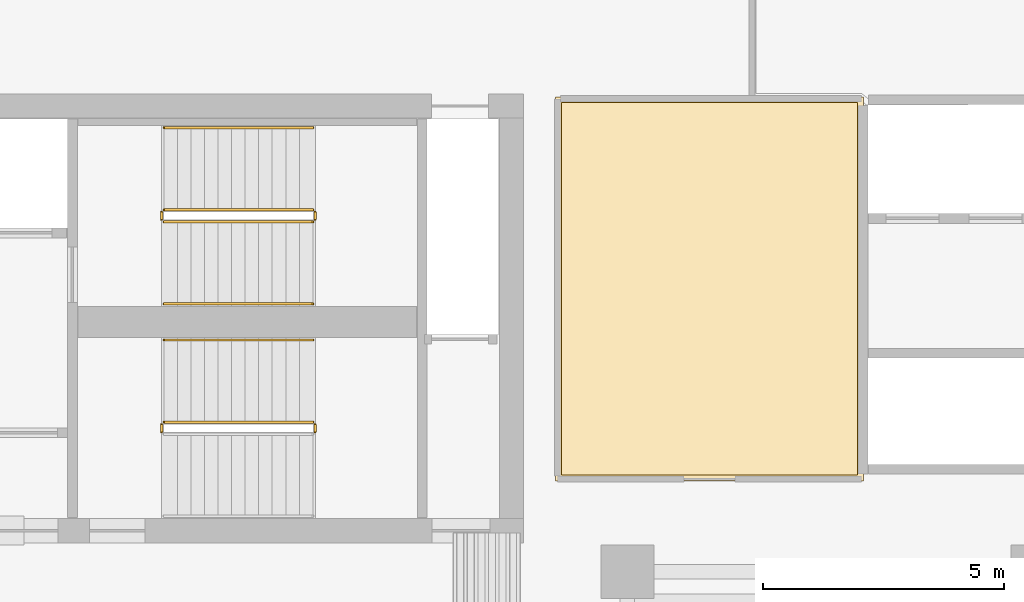
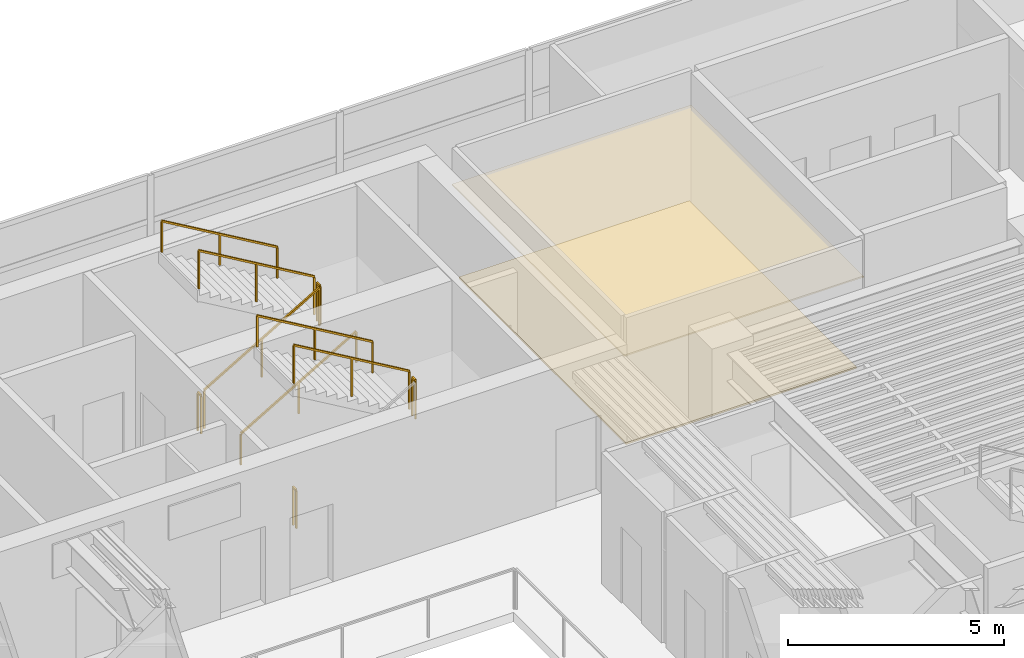
# One storey, part 12 of 12: 10 railings, 2 coverings.
"""IFC4 building model written with IfcOpenShell, lengths in metres."""

from ifc_helpers import new_model, si_unit, direction, frame, origin, origin_2d, place, context, subcontext, project, spatial, polyline, rectangle, outline, extrude, material, layer, layer_set, type_object, element, save


model = new_model("IFC4")

# Units and contexts
model_context = context("Model", 3, precision=1e-05, world=origin(), true_north=direction((0.0, 1.0)))
body_context = subcontext(model_context, "Body", "Model", "MODEL_VIEW")
ifc_project = project(units=[si_unit("LENGTHUNIT", "METRE"), si_unit("AREAUNIT", "SQUARE_METRE"), si_unit("VOLUMEUNIT", "CUBIC_METRE"), si_unit("PLANEANGLEUNIT", "RADIAN"), si_unit("MASSUNIT", "GRAM", prefix="KILO")], contexts=[model_context])

# Site, building, storey
site_placement = place(None, origin())
site = spatial("IfcSite", under=ifc_project, at=site_placement, CompositionType="ELEMENT")
building_placement = place(site_placement, origin())
building = spatial("IfcBuilding", under=site, at=building_placement, Name="Caeloran Harvest Quay", CompositionType="ELEMENT")
storey_placement = place(building_placement, frame((0.0, 0.0, 154.85009765625)))
storey = spatial("IfcBuildingStorey", under=building, at=storey_placement, Name="L36", CompositionType="ELEMENT", Elevation=154.85009765625)

# Coverings
ifc_material_1 = material(Name="Perforated Mineral-Fibre Acoustic Ceiling Tile", Category="ceiling")
ifc_layer_1 = layer(ifc_material_1, 0.0400390625, Name="Perforated Mineral-Fibre Acoustic Ceiling Tile")
ifc_layer_set_1 = layer_set([ifc_layer_1], Name="Perforated Mineral-Fibre Acoustic Ceiling Tile")
covering_type_1 = type_object("IfcCoveringType", Name="COV-CEILING-ACOUSTIC", PredefinedType="CEILING", material=ifc_layer_set_1)
covering_1_placement = place(storey_placement, frame((0.0, 0.0, 2.599853515625)))
element("IfcCovering", 1, at=covering_1_placement, inside=storey, type_object=covering_type_1, Name="L36 Bioinformatics and Crop Phenotyping Laboratory Acoustic Ceiling", PredefinedType="CEILING", context=body_context, shape_type="SweptSolid", body=[
    extrude(outline(polyline([(30.389892578125, 40.840087890625), (30.389892578125, 32.8798828125), (24.010009765625, 32.8798828125), (24.010009765625, 40.840087890625), (30.389892578125, 40.840087890625)])), origin(), (0.0, 0.0, 1.0), 0.0400390625),
])
ifc_material_2 = material(Name="Calcium-Sulphate Raised Access Floor and Terrazzo Finish", Category="flooring")
ifc_layer_2 = layer(ifc_material_2, 0.050048828125, Name="Calcium-Sulphate Raised Access Floor and Terrazzo Finish")
ifc_layer_set_2 = layer_set([ifc_layer_2], Name="Calcium-Sulphate Raised Access Floor and Terrazzo Finish")
covering_type_2 = type_object("IfcCoveringType", Name="COV-FLOOR-RAISED", PredefinedType="FLOORING", material=ifc_layer_set_2)
covering_2_placement = place(storey_placement, origin())
element("IfcCovering", 2, at=covering_2_placement, inside=storey, type_object=covering_type_2, Name="L36 Bioinformatics and Crop Phenotyping Laboratory Raised Finish Flooring", PredefinedType="FLOORING", context=body_context, shape_type="SweptSolid", body=[
    extrude(outline(polyline([(30.27001953125, 40.719970703125), (30.27001953125, 33.0), (24.1298828125, 33.0), (24.1298828125, 40.719970703125), (30.27001953125, 40.719970703125)])), origin(), (0.0, 0.0, 1.0), 0.0498046875),
])

# Railings
ifc_material_3 = material(Name="Painted Steel Baluster and Top-Rail Stair Guard", Category="steel")
ifc_layer_3 = layer(ifc_material_3, 0.050048828125, Name="Painted Steel Baluster and Top-Rail Stair Guard")
ifc_layer_set_3 = layer_set([ifc_layer_3], Name="Painted Steel Baluster and Top-Rail Stair Guard")
railing_type_1 = type_object("IfcRailingType", Name="STAIR-GUARD-1100", PredefinedType="GUARDRAIL", material=ifc_layer_set_3)
railing_1_placement = place(storey_placement, frame((15.89990234375, 38.25, 0.16455078125)))
element("IfcRailing", 3, at=railing_1_placement, inside=storey, type_object=railing_type_1, Name="L36 ST-C1 stair guard 1", PredefinedType="GUARDRAIL", context=body_context, shape_type="SweptSolid", body=[
    extrude(rectangle(XDim=0.048095703125, YDim=0.048095703125, at=origin_2d()), frame((0.0, 0.0, 1.076171875), z_axis=(0.862118610829, 0.0, 0.506706523406), x_axis=(0.0, 1.0, 0.0)), (0.0, 0.0, 1.0), 3.57275390625),
    extrude(rectangle(XDim=0.0419921875, YDim=0.0419921875, at=origin_2d()), origin(), (0.0, 0.0, 1.0), 1.052001953125),
    extrude(rectangle(XDim=0.0419921875, YDim=0.0419921875, at=origin_2d()), frame((1.5400390625, 0.0, 0.9052734375)), (0.0, 0.0, 1.0), 1.052001953125),
    extrude(rectangle(XDim=0.0419921875, YDim=0.0419921875, at=origin_2d()), frame((3.080078125, 0.0, 1.810302734375)), (0.0, 0.0, 1.0), 1.052001953125),
])
railing_2_placement = place(storey_placement, frame((19.030029296875, 38.300048828125, 1.974853515625)))
element("IfcRailing", 4, at=railing_2_placement, inside=storey, type_object=railing_type_1, Name="L36 ST-C1 stair guard 2", PredefinedType="GUARDRAIL", context=body_context, shape_type="SweptSolid", body=[
    extrude(rectangle(XDim=0.048095703125, YDim=0.048095703125, at=origin_2d()), frame((0.0, 0.0, 1.076171875), z_axis=(0.0, 1.0, 0.0), x_axis=(-1.0, 0.0, 0.0)), (0.0, 0.0, 1.0), 0.14990234375),
    extrude(rectangle(XDim=0.0419921875, YDim=0.0419921875, at=origin_2d()), origin(), (0.0, 0.0, 1.0), 1.052001953125),
    extrude(rectangle(XDim=0.0419921875, YDim=0.0419921875, at=origin_2d()), frame((0.0, 0.14990234375, 0.0)), (0.0, 0.0, 1.0), 1.052001953125),
])
railing_3_placement = place(storey_placement, frame((18.97998046875, 38.5, 2.139404296875)))
element("IfcRailing", 5, at=railing_3_placement, inside=storey, type_object=railing_type_1, Name="L36 ST-C1 stair guard 3", PredefinedType="GUARDRAIL", context=body_context, shape_type="SweptSolid", body=[
    extrude(rectangle(XDim=0.048095703125, YDim=0.048095703125, at=origin_2d()), frame((0.0, 0.0, 1.076171875), z_axis=(-0.862088758681, 0.0, 0.506757310905), x_axis=(0.0, -1.0, 0.0)), (0.0, 0.0, 1.0), 3.57275390625),
    extrude(rectangle(XDim=0.0419921875, YDim=0.0419921875, at=origin_2d()), origin(), (0.0, 0.0, 1.0), 1.052001953125),
    extrude(rectangle(XDim=0.0419921875, YDim=0.0419921875, at=origin_2d()), frame((-1.5400390625, 0.0, 0.9052734375)), (0.0, 0.0, 1.0), 1.052001953125),
    extrude(rectangle(XDim=0.0419921875, YDim=0.0419921875, at=origin_2d()), frame((-3.080078125, 0.0, 1.810546875)), (0.0, 0.0, 1.0), 1.052001953125),
])
railing_4_placement = place(storey_placement, frame((15.85009765625, 38.300048828125, 0.0)))
element("IfcRailing", 6, at=railing_4_placement, inside=storey, type_object=railing_type_1, Name="L36 ST-C1 stair guard 4", PredefinedType="GUARDRAIL", context=body_context, shape_type="SweptSolid", body=[
    extrude(rectangle(XDim=0.048095703125, YDim=0.048095703125, at=origin_2d()), frame((0.0, 0.0, 1.076171875), z_axis=(0.0, 1.0, 0.0), x_axis=(-1.0, 0.0, 0.0)), (0.0, 0.0, 1.0), 0.14990234375),
    extrude(rectangle(XDim=0.0419921875, YDim=0.0419921875, at=origin_2d()), origin(), (0.0, 0.0, 1.0), 1.052001953125),
    extrude(rectangle(XDim=0.0419921875, YDim=0.0419921875, at=origin_2d()), frame((0.0, 0.14990234375, 0.0)), (0.0, 0.0, 1.0), 1.052001953125),
])
railing_5_placement = place(storey_placement, frame((19.030029296875, 33.89990234375, 1.974853515625)))
element("IfcRailing", 7, at=railing_5_placement, inside=storey, type_object=railing_type_1, Name="L36 ST-C2 stair guard 2", PredefinedType="GUARDRAIL", context=body_context, shape_type="SweptSolid", body=[
    extrude(rectangle(XDim=0.048095703125, YDim=0.048095703125, at=origin_2d()), frame((0.0, 0.0, 1.076171875), z_axis=(0.0, 1.0, 0.0), x_axis=(-1.0, 0.0, 0.0)), (0.0, 0.0, 1.0), 0.150146484375),
    extrude(rectangle(XDim=0.0419921875, YDim=0.0419921875, at=origin_2d()), origin(), (0.0, 0.0, 1.0), 1.052001953125),
    extrude(rectangle(XDim=0.0419921875, YDim=0.0419921875, at=origin_2d()), frame((0.0, 0.150146484375, 0.0)), (0.0, 0.0, 1.0), 1.052001953125),
])
railing_6_placement = place(storey_placement, frame((18.97998046875, 34.10009765625, 2.139404296875)))
element("IfcRailing", 8, at=railing_6_placement, inside=storey, type_object=railing_type_1, Name="L36 ST-C2 stair guard 3", PredefinedType="GUARDRAIL", context=body_context, shape_type="SweptSolid", body=[
    extrude(rectangle(XDim=0.048095703125, YDim=0.048095703125, at=origin_2d()), frame((0.0, 0.0, 1.076171875), z_axis=(-0.862088758681, 0.0, 0.506757310905), x_axis=(0.0, -1.0, 0.0)), (0.0, 0.0, 1.0), 3.57275390625),
    extrude(rectangle(XDim=0.0419921875, YDim=0.0419921875, at=origin_2d()), origin(), (0.0, 0.0, 1.0), 1.052001953125),
    extrude(rectangle(XDim=0.0419921875, YDim=0.0419921875, at=origin_2d()), frame((-1.5400390625, 0.0, 0.9052734375)), (0.0, 0.0, 1.0), 1.052001953125),
    extrude(rectangle(XDim=0.0419921875, YDim=0.0419921875, at=origin_2d()), frame((-3.080078125, 0.0, 1.810546875)), (0.0, 0.0, 1.0), 1.052001953125),
])
railing_7_placement = place(storey_placement, frame((15.85009765625, 33.89990234375, 0.0)))
element("IfcRailing", 9, at=railing_7_placement, inside=storey, type_object=railing_type_1, Name="L36 ST-C2 stair guard 4", PredefinedType="GUARDRAIL", context=body_context, shape_type="SweptSolid", body=[
    extrude(rectangle(XDim=0.048095703125, YDim=0.048095703125, at=origin_2d()), frame((0.0, 0.0, 1.076171875), z_axis=(0.0, 1.0, 0.0), x_axis=(-1.0, 0.0, 0.0)), (0.0, 0.0, 1.0), 0.150146484375),
    extrude(rectangle(XDim=0.0419921875, YDim=0.0419921875, at=origin_2d()), origin(), (0.0, 0.0, 1.0), 1.052001953125),
    extrude(rectangle(XDim=0.0419921875, YDim=0.0419921875, at=origin_2d()), frame((0.0, 0.150146484375, 0.0)), (0.0, 0.0, 1.0), 1.052001953125),
])
ifc_material_4 = material(Name="Brushed Stainless Steel Grade 304", Category="steel")
ifc_layer_4 = layer(ifc_material_4, 0.050048828125, Name="Brushed Stainless Steel Grade 304")
ifc_layer_set_4 = layer_set([ifc_layer_4], Name="Brushed Stainless Steel Grade 304")
railing_type_2 = type_object("IfcRailingType", Name="STAIR-HANDRAIL-900", PredefinedType="HANDRAIL", material=ifc_layer_set_4)
railing_8_placement = place(storey_placement, frame((15.89990234375, 36.550048828125, 0.16455078125)))
element("IfcRailing", 10, at=railing_8_placement, inside=storey, type_object=railing_type_2, Name="L36 ST-C1 stair handrail 1", PredefinedType="HANDRAIL", context=body_context, shape_type="SweptSolid", body=[
    extrude(rectangle(XDim=0.048095703125, YDim=0.048095703125, at=origin_2d()), frame((0.0, 0.0, 0.8759765625), z_axis=(0.862118610829, 0.0, 0.506706523406), x_axis=(0.0, 1.0, 0.0)), (0.0, 0.0, 1.0), 3.57275390625),
    extrude(rectangle(XDim=0.0419921875, YDim=0.0419921875, at=origin_2d()), origin(), (0.0, 0.0, 1.0), 0.851806640625),
    extrude(rectangle(XDim=0.0419921875, YDim=0.0419921875, at=origin_2d()), frame((1.5400390625, 0.0, 0.9052734375)), (0.0, 0.0, 1.0), 0.851806640625),
    extrude(rectangle(XDim=0.0419921875, YDim=0.0419921875, at=origin_2d()), frame((3.080078125, 0.0, 1.810302734375)), (0.0, 0.0, 1.0), 0.851806640625),
])
for number, where, name in (
    (11, (18.97998046875, 40.199951171875, 2.139404296875), "L36 ST-C1 stair handrail 2"),
    (12, (18.97998046875, 35.800048828125, 2.139404296875), "L36 ST-C2 stair handrail 2"),
):
    element("IfcRailing", number, at=place(storey_placement, frame(where)), inside=storey, type_object=railing_type_2, Name=name, PredefinedType="HANDRAIL", context=body_context, shape_type="SweptSolid", body=[
        extrude(rectangle(XDim=0.048095703125, YDim=0.048095703125, at=origin_2d()), frame((0.0, 0.0, 0.8759765625), z_axis=(-0.862088758681, 0.0, 0.506757310905), x_axis=(0.0, -1.0, 0.0)), (0.0, 0.0, 1.0), 3.57275390625),
        extrude(rectangle(XDim=0.0419921875, YDim=0.0419921875, at=origin_2d()), origin(), (0.0, 0.0, 1.0), 0.851806640625),
        extrude(rectangle(XDim=0.0419921875, YDim=0.0419921875, at=origin_2d()), frame((-1.5400390625, 0.0, 0.9052734375)), (0.0, 0.0, 1.0), 0.851806640625),
        extrude(rectangle(XDim=0.0419921875, YDim=0.0419921875, at=origin_2d()), frame((-3.080078125, 0.0, 1.810546875)), (0.0, 0.0, 1.0), 0.851806640625),
    ])

save(model, "model.ifc")
